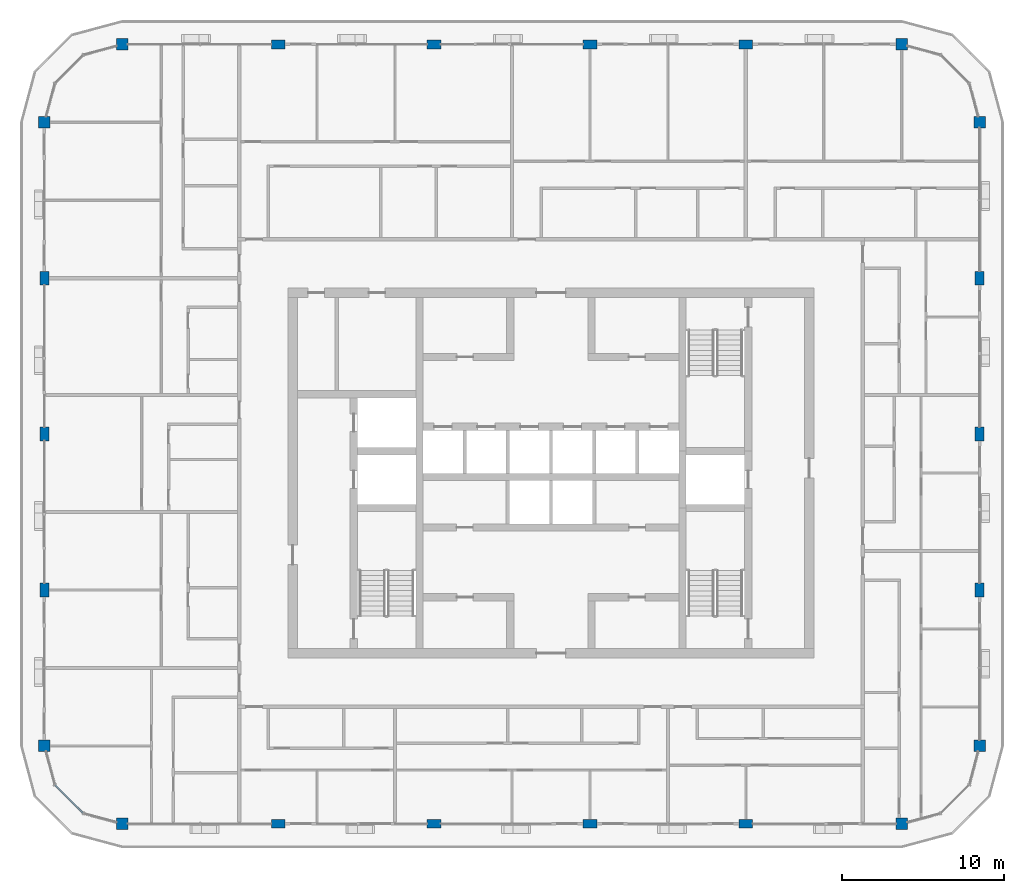
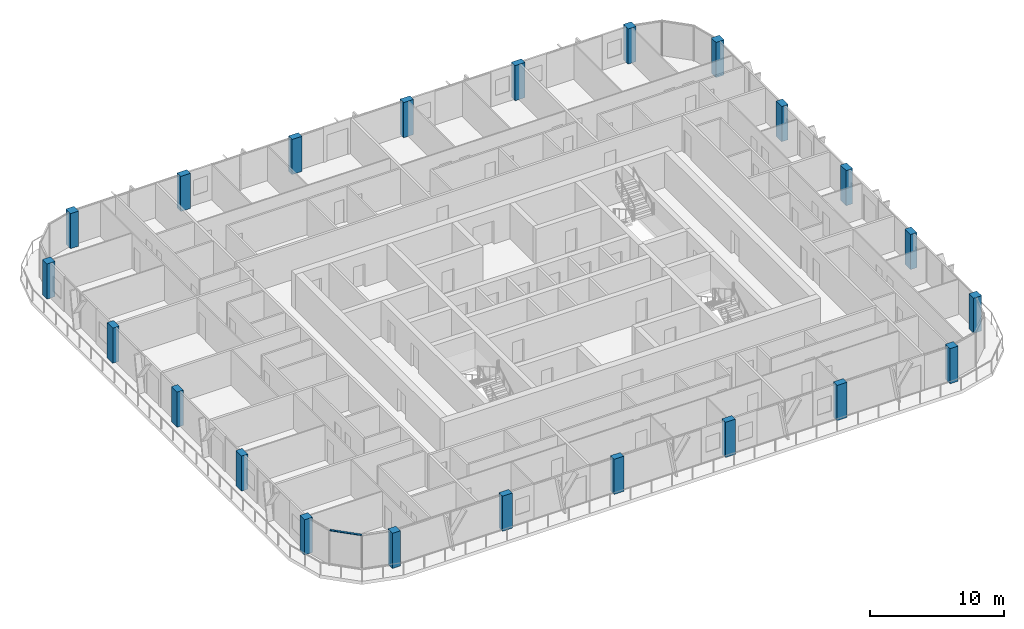
# One storey, part 1 of 21: 22 columns, 1 member, 1 element without a shape of its own.
"""IFC4 building model written with IfcOpenShell, lengths in metres."""

from ifc_helpers import new_model, si_unit, direction, frame, origin, origin_2d, place, context, subcontext, project, spatial, rectangle, extrude, material, layer, layer_set, material_profile, profile_set, type_object, element, aggregate, save


model = new_model("IFC4")

# Units and contexts
model_context = context("Model", 3, precision=1e-05, world=origin(), true_north=direction((0.0, 1.0)))
body_context = subcontext(model_context, "Body", "Model", "MODEL_VIEW")
ifc_project = project(units=[si_unit("LENGTHUNIT", "METRE"), si_unit("AREAUNIT", "SQUARE_METRE"), si_unit("VOLUMEUNIT", "CUBIC_METRE"), si_unit("PLANEANGLEUNIT", "RADIAN"), si_unit("MASSUNIT", "GRAM", prefix="KILO")], contexts=[model_context])

# Site, building, storey
site_placement = place(None, origin())
site = spatial("IfcSite", under=ifc_project, at=site_placement, CompositionType="ELEMENT")
building_placement = place(site_placement, origin())
building = spatial("IfcBuilding", under=site, at=building_placement, Name="Madar Terraces", CompositionType="ELEMENT")
storey_placement = place(building_placement, frame((0.0, 0.0, 252.699951171875)))
storey = spatial("IfcBuildingStorey", under=building, at=storey_placement, Name="L66", CompositionType="ELEMENT", Elevation=252.699951171875)

# Columns
ifc_material_1 = material(Name="Concrete C55/67", Category="concrete")
ifc_material_profile_1 = material_profile(ifc_material_1, rectangle(XDim=0.85009765625, YDim=0.550048828125, at=origin_2d()), Name="CC5 RC 850x550")
ifc_profile_set_1 = profile_set([ifc_material_profile_1], Name="Concrete C55/67")
column_type_1 = type_object("IfcColumnType", Name="CC5 RC 850x550", PredefinedType="COLUMN", material=ifc_profile_set_1)
for number, where, z_axis, x_axis, name in (
    (1, (14.39990234375, 4.800048828125, 0.0), (0.0, 0.0, 1.0), (1.0, 0.0, 0.0), "Perimeter column S2"),
    (2, (24.0, 4.800048828125, 0.0), (0.0, 0.0, 1.0), (1.0, 0.0, 0.0), "Perimeter column S3"),
    (3, (33.60009765625, 4.800048828125, 0.0), (0.0, 0.0, 1.0), (1.0, 0.0, 0.0), "Perimeter column S4"),
    (4, (43.199951171875, 4.800048828125, 0.0), (0.0, 0.0, 1.0), (1.0, 0.0, 0.0), "Perimeter column S5"),
    (5, (57.60009765625, 19.199951171875, 0.0), (0.0, 0.0, 1.0), (0.0, 1.0, 0.0), "Perimeter column E2"),
    (6, (57.60009765625, 28.800048828125, 0.0), (0.0, 0.0, 1.0), (0.0, 1.0, 0.0), "Perimeter column E3"),
    (7, (57.60009765625, 38.39990234375, 0.0), (0.0, 0.0, 1.0), (0.0, 1.0, 0.0), "Perimeter column E4"),
    (8, (43.199951171875, 52.800048828125, 0.0), (0.0, 0.0, 1.0), (1.0, 0.0, 0.0), "Perimeter column N2"),
    (9, (33.60009765625, 52.800048828125, 0.0), (0.0, 0.0, 1.0), (1.0, 0.0, 0.0), "Perimeter column N3"),
    (10, (24.0, 52.800048828125, 0.0), (0.0, 0.0, 1.0), (1.0, 0.0, 0.0), "Perimeter column N4"),
    (11, (14.39990234375, 52.800048828125, 0.0), (0.0, 0.0, 1.0), (1.0, 0.0, 0.0), "Perimeter column N5"),
    (12, (0.0, 38.39990234375, 0.0), (0.0, 0.0, 1.0), (0.0, 1.0, 0.0), "Perimeter column W2"),
    (13, (0.0, 28.800048828125, 0.0), (0.0, 0.0, 1.0), (0.0, 1.0, 0.0), "Perimeter column W3"),
    (14, (0.0, 19.199951171875, 0.0), (0.0, 0.0, 1.0), (0.0, 1.0, 0.0), "Perimeter column W4"),
):
    element("IfcColumn", number, at=place(storey_placement, frame(where, z_axis=z_axis, x_axis=x_axis)), inside=storey, type_object=column_type_1, Name=name, PredefinedType="COLUMN", context=body_context, shape_type="SweptSolid", body=[
        extrude(rectangle(XDim=0.85009765625, YDim=0.550048828125, at=origin_2d()), origin(), (0.0, 0.0, 1.0), 3.199951171875),
    ])
ifc_material_2 = material(Name="Concrete C55/67", Category="concrete")
ifc_material_profile_2 = material_profile(ifc_material_2, rectangle(XDim=0.699951171875, YDim=0.699951171875, at=origin_2d()), Name="KC5 RC 700x700")
ifc_profile_set_2 = profile_set([ifc_material_profile_2], Name="Concrete C55/67")
column_type_2 = type_object("IfcColumnType", Name="KC5 RC 700x700", PredefinedType="COLUMN", material=ifc_profile_set_2)
for number, where, z_axis, x_axis, name in (
    (15, (4.800048828125, 4.800048828125, 0.0), (0.0, 0.0, 1.0), (1.0, 0.0, 0.0), "Perimeter column S1"),
    (16, (52.800048828125, 4.800048828125, 0.0), (0.0, 0.0, 1.0), (1.0, 0.0, 0.0), "Perimeter column S6"),
    (17, (57.60009765625, 9.60009765625, 0.0), (0.0, 0.0, 1.0), (1.0, 0.0, 0.0), "Perimeter column E1"),
    (18, (57.60009765625, 48.0, 0.0), (0.0, 0.0, 1.0), (1.0, 0.0, 0.0), "Perimeter column E5"),
    (19, (52.800048828125, 52.800048828125, 0.0), (0.0, 0.0, 1.0), (1.0, 0.0, 0.0), "Perimeter column N1"),
    (20, (4.800048828125, 52.800048828125, 0.0), (0.0, 0.0, 1.0), (1.0, 0.0, 0.0), "Perimeter column N6"),
    (21, (0.0, 48.0, 0.0), (0.0, 0.0, 1.0), (1.0, 0.0, 0.0), "Perimeter column W1"),
    (22, (0.0, 9.60009765625, 0.0), (0.0, 0.0, 1.0), (1.0, 0.0, 0.0), "Perimeter column W5"),
):
    element("IfcColumn", number, at=place(storey_placement, frame(where, z_axis=z_axis, x_axis=x_axis)), inside=storey, type_object=column_type_2, Name=name, PredefinedType="COLUMN", context=body_context, shape_type="SweptSolid", body=[
        extrude(rectangle(XDim=0.699951171875, YDim=0.699951171875, at=origin_2d()), origin(), (0.0, 0.0, 1.0), 3.199951171875),
    ])

# Curtain wall, member
ifc_material_3 = material(Name="Glass, ceramic frit dark grey, with black aluminium frame", Category="aluminium")
ifc_layer = layer(ifc_material_3, 0.199951171875)
ifc_layer_set = layer_set([ifc_layer], Name="Facade curtain wall, fritted glass")
curtain_wall_type = type_object("IfcCurtainWallType", Name="Facade curtain wall, fritted glass", PredefinedType="NOTDEFINED", material=ifc_layer_set)
curtain_wall_placement = place(storey_placement, origin())
curtain_wall = element("IfcCurtainWall", 23, at=curtain_wall_placement, inside=storey, type_object=curtain_wall_type, Name="Outer skin curtain wall south-west corner", PredefinedType="NOTDEFINED")
ifc_material_4 = material(Name="Aluminium, black anodised", Category="aluminium")
ifc_material_profile_3 = material_profile(ifc_material_4, rectangle(XDim=0.1201171875, YDim=0.06005859375, at=origin_2d()), Name="Facade transom 60x120")
ifc_profile_set_3 = profile_set([ifc_material_profile_3], Name="Aluminium, black anodised")
member_type = type_object("IfcMemberType", Name="Facade transom 60x120", PredefinedType="USERDEFINED", material=ifc_profile_set_3)
member_placement = place(storey_placement, frame((0.664306640625, 7.1787109375, 3.170166015625), z_axis=(0.707157125196, -0.707056433593, 0.0), x_axis=(0.707056433593, 0.707157125196, 0.0)))
member = element("IfcMember", 24, at=member_placement, type_object=member_type, Name="Transom 2", ObjectType="TRANSOM", PredefinedType="USERDEFINED", context=body_context, shape_type="SweptSolid", body=[
    extrude(rectangle(XDim=0.1201171875, YDim=0.06005859375, at=origin_2d()), origin(), (0.0, 0.0, 1.0), 2.424560546875),
])
aggregate(curtain_wall, [member])

save(model, "model.ifc")
